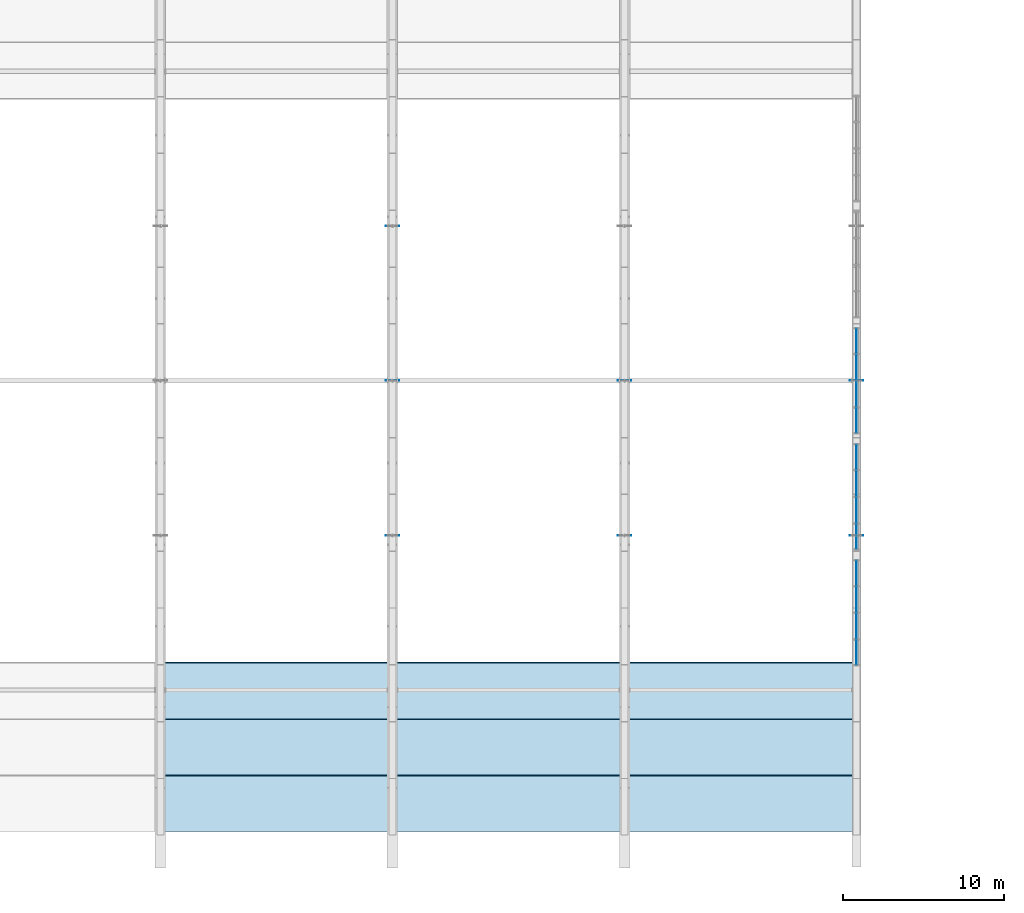
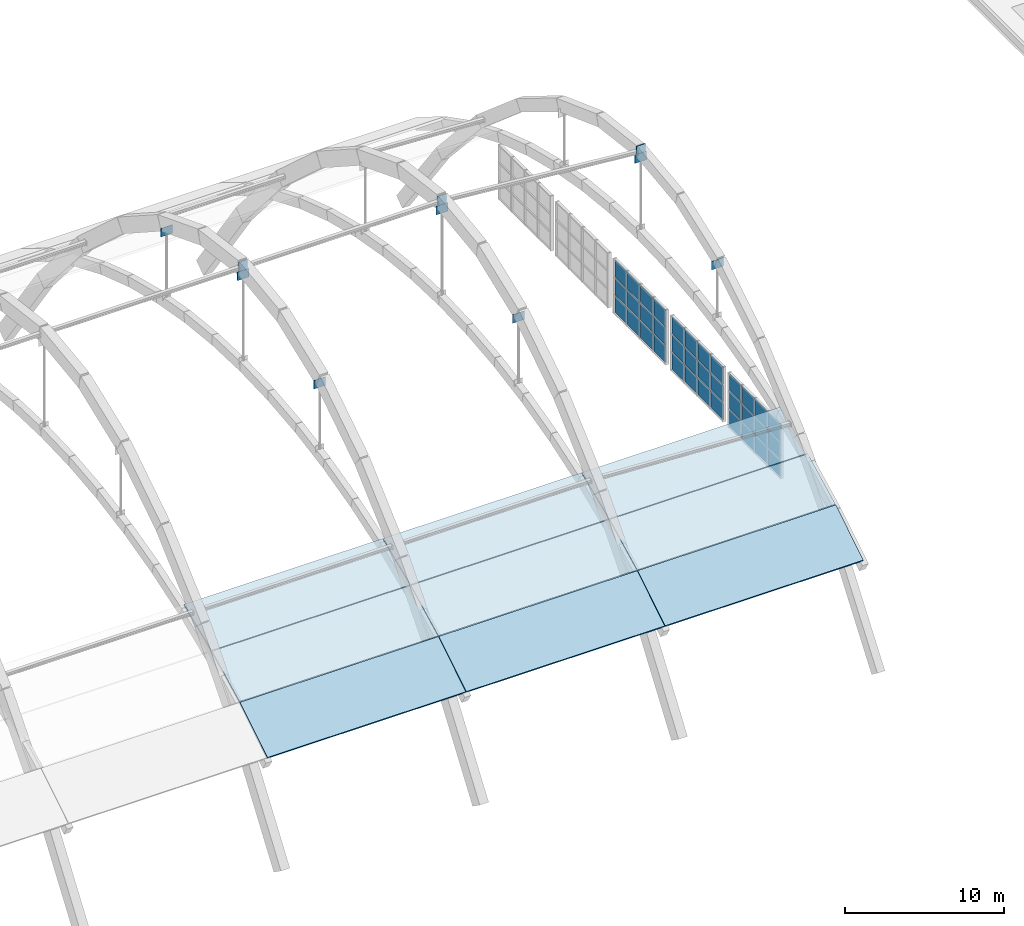
# One storey, part 41 of 64: 46 plates, 9 slabs, 3 elements without a shape of their own.
"""IFC4 building model written with IfcOpenShell, lengths in metres."""

from ifc_helpers import new_model, si_unit, direction, frame, origin, origin_2d, place, context, subcontext, project, spatial, polyline, rectangle, outline, extrude, material, layer, layer_set, type_object, element, aggregate, save


model = new_model("IFC4")

# Units and contexts
model_context = context("Model", 3, precision=1e-05, world=origin(), true_north=direction((0.0, 1.0)))
body_context = subcontext(model_context, "Body", "Model", "MODEL_VIEW")
ifc_project = project(units=[si_unit("LENGTHUNIT", "METRE"), si_unit("AREAUNIT", "SQUARE_METRE"), si_unit("VOLUMEUNIT", "CUBIC_METRE"), si_unit("PLANEANGLEUNIT", "RADIAN"), si_unit("MASSUNIT", "GRAM", prefix="KILO")], contexts=[model_context])

# Site, building, storey
site_placement = place(None, origin())
site = spatial("IfcSite", under=ifc_project, at=site_placement, CompositionType="ELEMENT")
building_placement = place(site_placement, origin())
building = spatial("IfcBuilding", under=site, at=building_placement, Name="Leyfeld Transit Interchange", CompositionType="ELEMENT")
storey_placement = place(building_placement, frame((0.0, 0.0, 9.60009765625)))
storey = spatial("IfcBuildingStorey", under=building, at=storey_placement, Name="L02", CompositionType="ELEMENT", Elevation=9.60009765625)

# Curtain wall, plates
ifc_material_1 = material(Name="Anodised aluminium EN AW-6060 T66", Category="aluminium")
curtain_wall_type = type_object("IfcCurtainWallType", Name="CW-SYS-GAB-7200", PredefinedType="NOTDEFINED", material=ifc_material_1)
curtain_wall_1_placement = place(storey_placement, origin())
curtain_wall_1 = element("IfcCurtainWall", 1, at=curtain_wall_1_placement, inside=storey, type_object=curtain_wall_type, Name="Curtain Wall CW-L02-GABE-01", PredefinedType="NOTDEFINED")
ifc_material_2 = material(Name="Laminated safety acoustic glazing", Category="glass")
ifc_layer_1 = layer(ifc_material_2, 0.048095703125, Name="Laminated safety acoustic glazing")
ifc_layer_set_1 = layer_set([ifc_layer_1], Name="Laminated safety acoustic glazing")
plate_type_1 = type_object("IfcPlateType", Name="CW-PNL-ACU-48", PredefinedType="CURTAIN_PANEL", material=ifc_layer_set_1)
plate_1_placement = place(storey_placement, frame((100.800048828125, 15.54638671875, -0.5166015625), z_axis=(0.0, 0.0, 1.0), x_axis=(0.0, 1.0, 0.0)))
plate_1 = element("IfcPlate", 2, at=plate_1_placement, type_object=plate_type_1, Name="Glazed Curtain Panel CW-L02-GABE-01-P01_1", PredefinedType="CURTAIN_PANEL", context=body_context, shape_type="SweptSolid", body=[
    extrude(rectangle(XDim=1.525390625, YDim=0.048095703125, at=origin_2d()), origin(), (0.0, 0.0, 1.0), 1.289794921875),
])
plate_2_placement = place(storey_placement, frame((100.800048828125, 15.54638671875, 0.855224609375), z_axis=(0.0, 0.0, 1.0), x_axis=(0.0, 1.0, 0.0)))
plate_2 = element("IfcPlate", 3, at=plate_2_placement, type_object=plate_type_1, Name="Glazed Curtain Panel CW-L02-GABE-01-P01_2", PredefinedType="CURTAIN_PANEL", context=body_context, shape_type="SweptSolid", body=[
    extrude(rectangle(XDim=1.525390625, YDim=0.048095703125, at=origin_2d()), origin(), (0.0, 0.0, 1.0), 1.28955078125),
])
plate_3_placement = place(storey_placement, frame((100.800048828125, 15.54638671875, 2.2265625), z_axis=(0.0, 0.0, 1.0), x_axis=(0.0, 1.0, 0.0)))
plate_3 = element("IfcPlate", 4, at=plate_3_placement, type_object=plate_type_1, Name="Glazed Curtain Panel CW-L02-GABE-01-P01_3", PredefinedType="CURTAIN_PANEL", context=body_context, shape_type="SweptSolid", body=[
    extrude(rectangle(XDim=1.525390625, YDim=0.048095703125, at=origin_2d()), origin(), (0.0, 0.0, 1.0), 1.289794921875),
])
plate_4_placement = place(storey_placement, frame((100.800048828125, 17.175048828125, -0.5166015625), z_axis=(0.0, 0.0, 1.0), x_axis=(0.0, 1.0, 0.0)))
plate_4 = element("IfcPlate", 5, at=plate_4_placement, type_object=plate_type_1, Name="Glazed Curtain Panel CW-L02-GABE-01-P02_1", PredefinedType="CURTAIN_PANEL", context=body_context, shape_type="SweptSolid", body=[
    extrude(rectangle(XDim=1.568115234375, YDim=0.048095703125, at=origin_2d()), origin(), (0.0, 0.0, 1.0), 1.289794921875),
])
plate_5_placement = place(storey_placement, frame((100.800048828125, 17.175048828125, 0.855224609375), z_axis=(0.0, 0.0, 1.0), x_axis=(0.0, 1.0, 0.0)))
plate_5 = element("IfcPlate", 6, at=plate_5_placement, type_object=plate_type_1, Name="Glazed Curtain Panel CW-L02-GABE-01-P02_2", PredefinedType="CURTAIN_PANEL", context=body_context, shape_type="SweptSolid", body=[
    extrude(rectangle(XDim=1.568115234375, YDim=0.048095703125, at=origin_2d()), origin(), (0.0, 0.0, 1.0), 1.28955078125),
])
plate_6_placement = place(storey_placement, frame((100.800048828125, 17.175048828125, 2.2265625), z_axis=(0.0, 0.0, 1.0), x_axis=(0.0, 1.0, 0.0)))
plate_6 = element("IfcPlate", 7, at=plate_6_placement, type_object=plate_type_1, Name="Glazed Curtain Panel CW-L02-GABE-01-P02_3", PredefinedType="CURTAIN_PANEL", context=body_context, shape_type="SweptSolid", body=[
    extrude(rectangle(XDim=1.568115234375, YDim=0.048095703125, at=origin_2d()), origin(), (0.0, 0.0, 1.0), 1.289794921875),
])
plate_7_placement = place(storey_placement, frame((100.800048828125, 18.824951171875, -0.5166015625), z_axis=(0.0, 0.0, 1.0), x_axis=(0.0, 1.0, 0.0)))
plate_7 = element("IfcPlate", 8, at=plate_7_placement, type_object=plate_type_1, Name="Glazed Curtain Panel CW-L02-GABE-01-P03_1", PredefinedType="CURTAIN_PANEL", context=body_context, shape_type="SweptSolid", body=[
    extrude(rectangle(XDim=1.568115234375, YDim=0.048095703125, at=origin_2d()), origin(), (0.0, 0.0, 1.0), 1.289794921875),
])
plate_8_placement = place(storey_placement, frame((100.800048828125, 18.824951171875, 0.855224609375), z_axis=(0.0, 0.0, 1.0), x_axis=(0.0, 1.0, 0.0)))
plate_8 = element("IfcPlate", 9, at=plate_8_placement, type_object=plate_type_1, Name="Glazed Curtain Panel CW-L02-GABE-01-P03_2", PredefinedType="CURTAIN_PANEL", context=body_context, shape_type="SweptSolid", body=[
    extrude(rectangle(XDim=1.568115234375, YDim=0.048095703125, at=origin_2d()), origin(), (0.0, 0.0, 1.0), 1.28955078125),
])
plate_9_placement = place(storey_placement, frame((100.800048828125, 18.824951171875, 2.2265625), z_axis=(0.0, 0.0, 1.0), x_axis=(0.0, 1.0, 0.0)))
plate_9 = element("IfcPlate", 10, at=plate_9_placement, type_object=plate_type_1, Name="Glazed Curtain Panel CW-L02-GABE-01-P03_3", PredefinedType="CURTAIN_PANEL", context=body_context, shape_type="SweptSolid", body=[
    extrude(rectangle(XDim=1.568115234375, YDim=0.048095703125, at=origin_2d()), origin(), (0.0, 0.0, 1.0), 1.289794921875),
])
plate_10_placement = place(storey_placement, frame((100.800048828125, 20.45361328125, -0.5166015625), z_axis=(0.0, 0.0, 1.0), x_axis=(0.0, 1.0, 0.0)))
plate_10 = element("IfcPlate", 11, at=plate_10_placement, type_object=plate_type_1, Name="Glazed Curtain Panel CW-L02-GABE-01-P04_1", PredefinedType="CURTAIN_PANEL", context=body_context, shape_type="SweptSolid", body=[
    extrude(rectangle(XDim=1.525390625, YDim=0.048095703125, at=origin_2d()), origin(), (0.0, 0.0, 1.0), 1.289794921875),
])
plate_11_placement = place(storey_placement, frame((100.800048828125, 20.45361328125, 0.855224609375), z_axis=(0.0, 0.0, 1.0), x_axis=(0.0, 1.0, 0.0)))
plate_11 = element("IfcPlate", 12, at=plate_11_placement, type_object=plate_type_1, Name="Glazed Curtain Panel CW-L02-GABE-01-P04_2", PredefinedType="CURTAIN_PANEL", context=body_context, shape_type="SweptSolid", body=[
    extrude(rectangle(XDim=1.525390625, YDim=0.048095703125, at=origin_2d()), origin(), (0.0, 0.0, 1.0), 1.28955078125),
])
plate_12_placement = place(storey_placement, frame((100.800048828125, 20.45361328125, 2.2265625), z_axis=(0.0, 0.0, 1.0), x_axis=(0.0, 1.0, 0.0)))
plate_12 = element("IfcPlate", 13, at=plate_12_placement, type_object=plate_type_1, Name="Glazed Curtain Panel CW-L02-GABE-01-P04_3", PredefinedType="CURTAIN_PANEL", context=body_context, shape_type="SweptSolid", body=[
    extrude(rectangle(XDim=1.525390625, YDim=0.048095703125, at=origin_2d()), origin(), (0.0, 0.0, 1.0), 1.289794921875),
])
aggregate(curtain_wall_1, [plate_1, plate_2, plate_3, plate_4, plate_5, plate_6, plate_7, plate_8, plate_9, plate_10, plate_11, plate_12])

curtain_wall_2_placement = place(storey_placement, origin())
curtain_wall_2 = element("IfcCurtainWall", 14, at=curtain_wall_2_placement, inside=storey, type_object=curtain_wall_type, Name="Curtain Wall CW-L02-GABE-02", PredefinedType="NOTDEFINED")
plate_13_placement = place(storey_placement, frame((100.800048828125, 22.746337890625, -0.5166015625), z_axis=(0.0, 0.0, 1.0), x_axis=(0.0, 1.0, 0.0)))
plate_13 = element("IfcPlate", 15, at=plate_13_placement, type_object=plate_type_1, Name="Glazed Curtain Panel CW-L02-GABE-02-P01_1", PredefinedType="CURTAIN_PANEL", context=body_context, shape_type="SweptSolid", body=[
    extrude(rectangle(XDim=1.525390625, YDim=0.048095703125, at=origin_2d()), origin(), (0.0, 0.0, 1.0), 1.289794921875),
])
plate_14_placement = place(storey_placement, frame((100.800048828125, 22.746337890625, 0.855224609375), z_axis=(0.0, 0.0, 1.0), x_axis=(0.0, 1.0, 0.0)))
plate_14 = element("IfcPlate", 16, at=plate_14_placement, type_object=plate_type_1, Name="Glazed Curtain Panel CW-L02-GABE-02-P01_2", PredefinedType="CURTAIN_PANEL", context=body_context, shape_type="SweptSolid", body=[
    extrude(rectangle(XDim=1.525390625, YDim=0.048095703125, at=origin_2d()), origin(), (0.0, 0.0, 1.0), 1.28955078125),
])
plate_15_placement = place(storey_placement, frame((100.800048828125, 22.746337890625, 2.2265625), z_axis=(0.0, 0.0, 1.0), x_axis=(0.0, 1.0, 0.0)))
plate_15 = element("IfcPlate", 17, at=plate_15_placement, type_object=plate_type_1, Name="Glazed Curtain Panel CW-L02-GABE-02-P01_3", PredefinedType="CURTAIN_PANEL", context=body_context, shape_type="SweptSolid", body=[
    extrude(rectangle(XDim=1.525390625, YDim=0.048095703125, at=origin_2d()), origin(), (0.0, 0.0, 1.0), 1.289794921875),
])
plate_16_placement = place(storey_placement, frame((100.800048828125, 24.375, -0.5166015625), z_axis=(0.0, 0.0, 1.0), x_axis=(0.0, 1.0, 0.0)))
plate_16 = element("IfcPlate", 18, at=plate_16_placement, type_object=plate_type_1, Name="Glazed Curtain Panel CW-L02-GABE-02-P02_1", PredefinedType="CURTAIN_PANEL", context=body_context, shape_type="SweptSolid", body=[
    extrude(rectangle(XDim=1.568115234375, YDim=0.048095703125, at=origin_2d()), origin(), (0.0, 0.0, 1.0), 1.289794921875),
])
plate_17_placement = place(storey_placement, frame((100.800048828125, 24.375, 0.855224609375), z_axis=(0.0, 0.0, 1.0), x_axis=(0.0, 1.0, 0.0)))
plate_17 = element("IfcPlate", 19, at=plate_17_placement, type_object=plate_type_1, Name="Glazed Curtain Panel CW-L02-GABE-02-P02_2", PredefinedType="CURTAIN_PANEL", context=body_context, shape_type="SweptSolid", body=[
    extrude(rectangle(XDim=1.568115234375, YDim=0.048095703125, at=origin_2d()), origin(), (0.0, 0.0, 1.0), 1.28955078125),
])
plate_18_placement = place(storey_placement, frame((100.800048828125, 24.375, 2.2265625), z_axis=(0.0, 0.0, 1.0), x_axis=(0.0, 1.0, 0.0)))
plate_18 = element("IfcPlate", 20, at=plate_18_placement, type_object=plate_type_1, Name="Glazed Curtain Panel CW-L02-GABE-02-P02_3", PredefinedType="CURTAIN_PANEL", context=body_context, shape_type="SweptSolid", body=[
    extrude(rectangle(XDim=1.568115234375, YDim=0.048095703125, at=origin_2d()), origin(), (0.0, 0.0, 1.0), 1.289794921875),
])
plate_19_placement = place(storey_placement, frame((100.800048828125, 26.02490234375, -0.5166015625), z_axis=(0.0, 0.0, 1.0), x_axis=(0.0, 1.0, 0.0)))
plate_19 = element("IfcPlate", 21, at=plate_19_placement, type_object=plate_type_1, Name="Glazed Curtain Panel CW-L02-GABE-02-P03_1", PredefinedType="CURTAIN_PANEL", context=body_context, shape_type="SweptSolid", body=[
    extrude(rectangle(XDim=1.568115234375, YDim=0.048095703125, at=origin_2d()), origin(), (0.0, 0.0, 1.0), 1.289794921875),
])
plate_20_placement = place(storey_placement, frame((100.800048828125, 26.02490234375, 0.855224609375), z_axis=(0.0, 0.0, 1.0), x_axis=(0.0, 1.0, 0.0)))
plate_20 = element("IfcPlate", 22, at=plate_20_placement, type_object=plate_type_1, Name="Glazed Curtain Panel CW-L02-GABE-02-P03_2", PredefinedType="CURTAIN_PANEL", context=body_context, shape_type="SweptSolid", body=[
    extrude(rectangle(XDim=1.568115234375, YDim=0.048095703125, at=origin_2d()), origin(), (0.0, 0.0, 1.0), 1.28955078125),
])
plate_21_placement = place(storey_placement, frame((100.800048828125, 26.02490234375, 2.2265625), z_axis=(0.0, 0.0, 1.0), x_axis=(0.0, 1.0, 0.0)))
plate_21 = element("IfcPlate", 23, at=plate_21_placement, type_object=plate_type_1, Name="Glazed Curtain Panel CW-L02-GABE-02-P03_3", PredefinedType="CURTAIN_PANEL", context=body_context, shape_type="SweptSolid", body=[
    extrude(rectangle(XDim=1.568115234375, YDim=0.048095703125, at=origin_2d()), origin(), (0.0, 0.0, 1.0), 1.289794921875),
])
plate_22_placement = place(storey_placement, frame((100.800048828125, 27.65380859375, -0.5166015625), z_axis=(0.0, 0.0, 1.0), x_axis=(0.0, 1.0, 0.0)))
plate_22 = element("IfcPlate", 24, at=plate_22_placement, type_object=plate_type_1, Name="Glazed Curtain Panel CW-L02-GABE-02-P04_1", PredefinedType="CURTAIN_PANEL", context=body_context, shape_type="SweptSolid", body=[
    extrude(rectangle(XDim=1.525390625, YDim=0.048095703125, at=origin_2d()), origin(), (0.0, 0.0, 1.0), 1.289794921875),
])
plate_23_placement = place(storey_placement, frame((100.800048828125, 27.65380859375, 0.855224609375), z_axis=(0.0, 0.0, 1.0), x_axis=(0.0, 1.0, 0.0)))
plate_23 = element("IfcPlate", 25, at=plate_23_placement, type_object=plate_type_1, Name="Glazed Curtain Panel CW-L02-GABE-02-P04_2", PredefinedType="CURTAIN_PANEL", context=body_context, shape_type="SweptSolid", body=[
    extrude(rectangle(XDim=1.525390625, YDim=0.048095703125, at=origin_2d()), origin(), (0.0, 0.0, 1.0), 1.28955078125),
])
plate_24_placement = place(storey_placement, frame((100.800048828125, 27.65380859375, 2.2265625), z_axis=(0.0, 0.0, 1.0), x_axis=(0.0, 1.0, 0.0)))
plate_24 = element("IfcPlate", 26, at=plate_24_placement, type_object=plate_type_1, Name="Glazed Curtain Panel CW-L02-GABE-02-P04_3", PredefinedType="CURTAIN_PANEL", context=body_context, shape_type="SweptSolid", body=[
    extrude(rectangle(XDim=1.525390625, YDim=0.048095703125, at=origin_2d()), origin(), (0.0, 0.0, 1.0), 1.289794921875),
])
aggregate(curtain_wall_2, [plate_13, plate_14, plate_15, plate_16, plate_17, plate_18, plate_19, plate_20, plate_21, plate_22, plate_23, plate_24])

curtain_wall_3_placement = place(storey_placement, origin())
curtain_wall_3 = element("IfcCurtainWall", 27, at=curtain_wall_3_placement, inside=storey, type_object=curtain_wall_type, Name="Curtain Wall CW-L02-GABE-03", PredefinedType="NOTDEFINED")
plate_25_placement = place(storey_placement, frame((100.800048828125, 29.9462890625, -0.5166015625), z_axis=(0.0, 0.0, 1.0), x_axis=(0.0, 1.0, 0.0)))
plate_25 = element("IfcPlate", 28, at=plate_25_placement, type_object=plate_type_1, Name="Glazed Curtain Panel CW-L02-GABE-03-P01_1", PredefinedType="CURTAIN_PANEL", context=body_context, shape_type="SweptSolid", body=[
    extrude(rectangle(XDim=1.525390625, YDim=0.048095703125, at=origin_2d()), origin(), (0.0, 0.0, 1.0), 1.289794921875),
])
plate_26_placement = place(storey_placement, frame((100.800048828125, 29.9462890625, 0.855224609375), z_axis=(0.0, 0.0, 1.0), x_axis=(0.0, 1.0, 0.0)))
plate_26 = element("IfcPlate", 29, at=plate_26_placement, type_object=plate_type_1, Name="Glazed Curtain Panel CW-L02-GABE-03-P01_2", PredefinedType="CURTAIN_PANEL", context=body_context, shape_type="SweptSolid", body=[
    extrude(rectangle(XDim=1.525390625, YDim=0.048095703125, at=origin_2d()), origin(), (0.0, 0.0, 1.0), 1.28955078125),
])
plate_27_placement = place(storey_placement, frame((100.800048828125, 29.9462890625, 2.2265625), z_axis=(0.0, 0.0, 1.0), x_axis=(0.0, 1.0, 0.0)))
plate_27 = element("IfcPlate", 30, at=plate_27_placement, type_object=plate_type_1, Name="Glazed Curtain Panel CW-L02-GABE-03-P01_3", PredefinedType="CURTAIN_PANEL", context=body_context, shape_type="SweptSolid", body=[
    extrude(rectangle(XDim=1.525390625, YDim=0.048095703125, at=origin_2d()), origin(), (0.0, 0.0, 1.0), 1.289794921875),
])
plate_28_placement = place(storey_placement, frame((100.800048828125, 31.574951171875, -0.5166015625), z_axis=(0.0, 0.0, 1.0), x_axis=(0.0, 1.0, 0.0)))
plate_28 = element("IfcPlate", 31, at=plate_28_placement, type_object=plate_type_1, Name="Glazed Curtain Panel CW-L02-GABE-03-P02_1", PredefinedType="CURTAIN_PANEL", context=body_context, shape_type="SweptSolid", body=[
    extrude(rectangle(XDim=1.568115234375, YDim=0.048095703125, at=origin_2d()), origin(), (0.0, 0.0, 1.0), 1.289794921875),
])
plate_29_placement = place(storey_placement, frame((100.800048828125, 31.574951171875, 0.855224609375), z_axis=(0.0, 0.0, 1.0), x_axis=(0.0, 1.0, 0.0)))
plate_29 = element("IfcPlate", 32, at=plate_29_placement, type_object=plate_type_1, Name="Glazed Curtain Panel CW-L02-GABE-03-P02_2", PredefinedType="CURTAIN_PANEL", context=body_context, shape_type="SweptSolid", body=[
    extrude(rectangle(XDim=1.568115234375, YDim=0.048095703125, at=origin_2d()), origin(), (0.0, 0.0, 1.0), 1.28955078125),
])
plate_30_placement = place(storey_placement, frame((100.800048828125, 31.574951171875, 2.2265625), z_axis=(0.0, 0.0, 1.0), x_axis=(0.0, 1.0, 0.0)))
plate_30 = element("IfcPlate", 33, at=plate_30_placement, type_object=plate_type_1, Name="Glazed Curtain Panel CW-L02-GABE-03-P02_3", PredefinedType="CURTAIN_PANEL", context=body_context, shape_type="SweptSolid", body=[
    extrude(rectangle(XDim=1.568115234375, YDim=0.048095703125, at=origin_2d()), origin(), (0.0, 0.0, 1.0), 1.289794921875),
])
plate_31_placement = place(storey_placement, frame((100.800048828125, 33.22509765625, -0.5166015625), z_axis=(0.0, 0.0, 1.0), x_axis=(0.0, 1.0, 0.0)))
plate_31 = element("IfcPlate", 34, at=plate_31_placement, type_object=plate_type_1, Name="Glazed Curtain Panel CW-L02-GABE-03-P03_1", PredefinedType="CURTAIN_PANEL", context=body_context, shape_type="SweptSolid", body=[
    extrude(rectangle(XDim=1.568115234375, YDim=0.048095703125, at=origin_2d()), origin(), (0.0, 0.0, 1.0), 1.289794921875),
])
plate_32_placement = place(storey_placement, frame((100.800048828125, 33.22509765625, 0.855224609375), z_axis=(0.0, 0.0, 1.0), x_axis=(0.0, 1.0, 0.0)))
plate_32 = element("IfcPlate", 35, at=plate_32_placement, type_object=plate_type_1, Name="Glazed Curtain Panel CW-L02-GABE-03-P03_2", PredefinedType="CURTAIN_PANEL", context=body_context, shape_type="SweptSolid", body=[
    extrude(rectangle(XDim=1.568115234375, YDim=0.048095703125, at=origin_2d()), origin(), (0.0, 0.0, 1.0), 1.28955078125),
])
plate_33_placement = place(storey_placement, frame((100.800048828125, 33.22509765625, 2.2265625), z_axis=(0.0, 0.0, 1.0), x_axis=(0.0, 1.0, 0.0)))
plate_33 = element("IfcPlate", 36, at=plate_33_placement, type_object=plate_type_1, Name="Glazed Curtain Panel CW-L02-GABE-03-P03_3", PredefinedType="CURTAIN_PANEL", context=body_context, shape_type="SweptSolid", body=[
    extrude(rectangle(XDim=1.568115234375, YDim=0.048095703125, at=origin_2d()), origin(), (0.0, 0.0, 1.0), 1.289794921875),
])
plate_34_placement = place(storey_placement, frame((100.800048828125, 34.853759765625, -0.5166015625), z_axis=(0.0, 0.0, 1.0), x_axis=(0.0, 1.0, 0.0)))
plate_34 = element("IfcPlate", 37, at=plate_34_placement, type_object=plate_type_1, Name="Glazed Curtain Panel CW-L02-GABE-03-P04_1", PredefinedType="CURTAIN_PANEL", context=body_context, shape_type="SweptSolid", body=[
    extrude(rectangle(XDim=1.525390625, YDim=0.048095703125, at=origin_2d()), origin(), (0.0, 0.0, 1.0), 1.289794921875),
])
plate_35_placement = place(storey_placement, frame((100.800048828125, 34.853759765625, 0.855224609375), z_axis=(0.0, 0.0, 1.0), x_axis=(0.0, 1.0, 0.0)))
plate_35 = element("IfcPlate", 38, at=plate_35_placement, type_object=plate_type_1, Name="Glazed Curtain Panel CW-L02-GABE-03-P04_2", PredefinedType="CURTAIN_PANEL", context=body_context, shape_type="SweptSolid", body=[
    extrude(rectangle(XDim=1.525390625, YDim=0.048095703125, at=origin_2d()), origin(), (0.0, 0.0, 1.0), 1.28955078125),
])
plate_36_placement = place(storey_placement, frame((100.800048828125, 34.853759765625, 2.2265625), z_axis=(0.0, 0.0, 1.0), x_axis=(0.0, 1.0, 0.0)))
plate_36 = element("IfcPlate", 39, at=plate_36_placement, type_object=plate_type_1, Name="Glazed Curtain Panel CW-L02-GABE-03-P04_3", PredefinedType="CURTAIN_PANEL", context=body_context, shape_type="SweptSolid", body=[
    extrude(rectangle(XDim=1.525390625, YDim=0.048095703125, at=origin_2d()), origin(), (0.0, 0.0, 1.0), 1.289794921875),
])
aggregate(curtain_wall_3, [plate_25, plate_26, plate_27, plate_28, plate_29, plate_30, plate_31, plate_32, plate_33, plate_34, plate_35, plate_36])

# Plates
ifc_material_3 = material(Name="Steel S355J2", Category="steel")
ifc_layer_2 = layer(ifc_material_3, 0.031982421875, Name="Steel S355J2")
ifc_layer_set_2 = layer_set([ifc_layer_2], Name="Steel S355J2")
plate_type_2 = type_object("IfcPlateType", Name="PLT-GUS-32", PredefinedType="SHEET", material=ifc_layer_set_2)
for number, where, z_axis, x_axis, name in (
    (40, (72.0, 22.800048828125, 11.59765625), (0.0, 0.0, 1.0), (1.0, 0.0, 0.0), "Hanger Upper Gusset Plate AR-05 H3"),
    (41, (72.0, 32.39990234375, 14.0703125), (0.0, 0.0, 1.0), (1.0, 0.0, 0.0), "Hanger Upper Gusset Plate AR-05 H4"),
    (42, (72.0, 42.0, 11.59765625), (0.0, 0.0, 1.0), (1.0, 0.0, 0.0), "Hanger Upper Gusset Plate AR-05 H5"),
    (43, (86.39990234375, 22.800048828125, 11.59765625), (0.0, 0.0, 1.0), (1.0, 0.0, 0.0), "Hanger Upper Gusset Plate AR-06 H3"),
    (44, (86.39990234375, 32.39990234375, 14.0703125), (0.0, 0.0, 1.0), (1.0, 0.0, 0.0), "Hanger Upper Gusset Plate AR-06 H4"),
    (45, (100.800048828125, 22.800048828125, 10.634765625), (0.0, 0.0, 1.0), (1.0, 0.0, 0.0), "Hanger Upper Gusset Plate GP-E H3"),
    (46, (100.800048828125, 32.39990234375, 12.971435546875), (0.0, 0.0, 1.0), (1.0, 0.0, 0.0), "Hanger Upper Gusset Plate GP-E H4"),
):
    element("IfcPlate", number, at=place(storey_placement, frame(where, z_axis=z_axis, x_axis=x_axis)), inside=storey, type_object=plate_type_2, Name=name, PredefinedType="SHEET", context=body_context, shape_type="SweptSolid", body=[
        extrude(rectangle(XDim=0.85009765625, YDim=0.031982421875, at=origin_2d()), origin(), (0.0, 0.0, 1.0), 0.64990234375),
    ])
ifc_material_4 = material(Name="Steel S355J2 - Ochre Arch", Category="steel")
ifc_layer_3 = layer(ifc_material_4, 0.02392578125, Name="Steel S355J2 - Ochre Arch")
ifc_layer_set_3 = layer_set([ifc_layer_3], Name="Steel S355J2 - Ochre Arch")
plate_type_3 = type_object("IfcPlateType", Name="PLT-STIF-24", PredefinedType="USERDEFINED", material=ifc_layer_set_3)
plate_37_placement = place(storey_placement, frame((100.800048828125, 32.39990234375, 13.349853515625), z_axis=(0.0, 0.0, 1.0), x_axis=(1.0, 0.0, 0.0)))
element("IfcPlate", 47, at=plate_37_placement, inside=storey, type_object=plate_type_3, Name="Arch Crown Stiffener GP-E", ObjectType="STIFFENER_PLATE", PredefinedType="USERDEFINED", context=body_context, shape_type="SweptSolid", body=[
    extrude(rectangle(XDim=0.64990234375, YDim=0.030029296875, at=origin_2d()), origin(), (0.0, 0.0, 1.0), 0.89990234375),
])
ifc_layer_4 = layer(ifc_material_4, 0.030029296875, Name="Steel S355J2 - Ochre Arch")
ifc_layer_set_4 = layer_set([ifc_layer_4], Name="Steel S355J2 - Ochre Arch")
plate_type_4 = type_object("IfcPlateType", Name="PLT-STIF-30", PredefinedType="USERDEFINED", material=ifc_layer_set_4)
for number, where, z_axis, x_axis, name in (
    (48, (72.0, 32.39990234375, 14.550048828125), (0.0, 0.0, 1.0), (1.0, 0.0, 0.0), "Arch Crown Stiffener AR-05"),
    (49, (86.39990234375, 32.39990234375, 14.550048828125), (0.0, 0.0, 1.0), (1.0, 0.0, 0.0), "Arch Crown Stiffener AR-06"),
):
    element("IfcPlate", number, at=place(storey_placement, frame(where, z_axis=z_axis, x_axis=x_axis)), inside=storey, type_object=plate_type_4, Name=name, ObjectType="STIFFENER_PLATE", PredefinedType="USERDEFINED", context=body_context, shape_type="SweptSolid", body=[
        extrude(rectangle(XDim=0.64990234375, YDim=0.030029296875, at=origin_2d()), origin(), (0.0, 0.0, 1.0), 0.89990234375),
    ])

# Slabs
ifc_material_5 = material(Name="Concrete C40/50", Category="concrete")
ifc_layer_5 = layer(ifc_material_5, 0.159912109375, Name="Concrete C40/50")
ifc_layer_set_5 = layer_set([ifc_layer_5], Name="Concrete C40/50")
slab_type_1 = type_object("IfcSlabType", Name="SLB-VAULT-160", PredefinedType="ROOF", material=ifc_layer_set_5)
slab_1_placement = place(storey_placement, frame((57.610107421875, 7.919921875, 1.572509765625), z_axis=(0.0, -0.455386646839, 0.890293772797), x_axis=(1.0, 0.0, 0.0)))
element("IfcSlab", 50, at=slab_1_placement, inside=storey, type_object=slab_type_1, Name="Concourse Barrel Vault Shell B5 F2", PredefinedType="ROOF", context=body_context, shape_type="SweptSolid", body=[
    extrude(outline(polyline([(0.0, 0.0), (14.3798828125, 0.0), (14.3798828125, 3.8863137575712736), (0.0, 3.8863137575712736), (0.0, 0.0)])), origin(), (0.0, 0.0, -1.0), 0.159912109375),
])
slab_2_placement = place(storey_placement, frame((57.610107421875, 11.419921875, 3.360595703125), z_axis=(0.0, -0.385336514748, 0.922776121495), x_axis=(1.0, 0.0, 0.0)))
element("IfcSlab", 51, at=slab_2_placement, inside=storey, type_object=slab_type_1, Name="Concourse Barrel Vault Shell B5 F3", PredefinedType="ROOF", context=body_context, shape_type="SweptSolid", body=[
    extrude(outline(polyline([(0.0, 0.0), (14.3798828125, 0.0), (14.3798828125, 3.7495128633080363), (0.0, 3.7495128633080363), (0.0, 0.0)])), origin(), (0.0, 0.0, -1.0), 0.159912109375),
])
slab_3_placement = place(storey_placement, frame((72.010009765625, 7.919921875, 1.572509765625), z_axis=(0.0, -0.455386646839, 0.890293772797), x_axis=(1.0, 0.0, 0.0)))
element("IfcSlab", 52, at=slab_3_placement, inside=storey, type_object=slab_type_1, Name="Concourse Barrel Vault Shell B6 F2", PredefinedType="ROOF", context=body_context, shape_type="SweptSolid", body=[
    extrude(outline(polyline([(0.0, 0.0), (14.3798828125, 0.0), (14.3798828125, 3.8863137575712736), (0.0, 3.8863137575712736), (0.0, 0.0)])), origin(), (0.0, 0.0, -1.0), 0.159912109375),
])
slab_4_placement = place(storey_placement, frame((72.010009765625, 11.419921875, 3.360595703125), z_axis=(0.0, -0.385336514748, 0.922776121495), x_axis=(1.0, 0.0, 0.0)))
element("IfcSlab", 53, at=slab_4_placement, inside=storey, type_object=slab_type_1, Name="Concourse Barrel Vault Shell B6 F3", PredefinedType="ROOF", context=body_context, shape_type="SweptSolid", body=[
    extrude(outline(polyline([(0.0, 0.0), (14.3798828125, 0.0), (14.3798828125, 3.7495128633080363), (0.0, 3.7495128633080363), (0.0, 0.0)])), origin(), (0.0, 0.0, -1.0), 0.159912109375),
])
slab_5_placement = place(storey_placement, frame((86.409912109375, 7.919921875, 1.572509765625), z_axis=(0.0, -0.455386646839, 0.890293772797), x_axis=(1.0, 0.0, 0.0)))
element("IfcSlab", 54, at=slab_5_placement, inside=storey, type_object=slab_type_1, Name="Concourse Barrel Vault Shell B7 F2", PredefinedType="ROOF", context=body_context, shape_type="SweptSolid", body=[
    extrude(outline(polyline([(0.0, 0.0), (14.364990234375, 0.0), (14.364990234375, 3.886313757571274), (0.0, 3.886313757571274), (0.0, 0.0)])), origin(), (0.0, 0.0, -1.0), 0.159912109375),
])
slab_6_placement = place(storey_placement, frame((86.409912109375, 11.419921875, 3.360595703125), z_axis=(0.0, -0.385336514748, 0.922776121495), x_axis=(1.0, 0.0, 0.0)))
element("IfcSlab", 55, at=slab_6_placement, inside=storey, type_object=slab_type_1, Name="Concourse Barrel Vault Shell B7 F3", PredefinedType="ROOF", context=body_context, shape_type="SweptSolid", body=[
    extrude(outline(polyline([(0.0, 0.0), (14.364990234375, 0.0), (14.364990234375, 3.7495128633080363), (0.0, 3.7495128633080363), (0.0, 0.0)])), origin(), (0.0, 0.0, -1.0), 0.159912109375),
])
ifc_layer_6 = layer(ifc_material_5, 0.175048828125, Name="Concrete C40/50")
ifc_layer_set_6 = layer_set([ifc_layer_6], Name="Concrete C40/50")
slab_type_2 = type_object("IfcSlabType", Name="SLB-VAULT-175", PredefinedType="ROOF", material=ifc_layer_set_6)
for number, where, z_axis, x_axis, name in (
    (56, (57.610107421875, 4.419921875, -0.586669921875), (0.0, -0.525436640298, 0.850832731524), (1.0, 0.0, 0.0), "Concourse Barrel Vault Shell B5 F1"),
    (57, (72.010009765625, 4.419921875, -0.586669921875), (0.0, -0.525436640298, 0.850832731524), (1.0, 0.0, 0.0), "Concourse Barrel Vault Shell B6 F1"),
):
    element("IfcSlab", number, at=place(storey_placement, frame(where, z_axis=z_axis, x_axis=x_axis)), inside=storey, type_object=slab_type_2, Name=name, PredefinedType="ROOF", context=body_context, shape_type="SweptSolid", body=[
        extrude(outline(polyline([(0.0, 0.0), (14.3798828125, 0.0), (14.3798828125, 4.066558336680718), (0.0, 4.066558336680718), (0.0, 0.0)])), origin(), (0.0, 0.0, -1.0), 0.175048828125),
    ])
slab_7_placement = place(storey_placement, frame((86.409912109375, 4.419921875, -0.586669921875), z_axis=(0.0, -0.525436640298, 0.850832731524), x_axis=(1.0, 0.0, 0.0)))
element("IfcSlab", 58, at=slab_7_placement, inside=storey, type_object=slab_type_2, Name="Concourse Barrel Vault Shell B7 F1", PredefinedType="ROOF", context=body_context, shape_type="SweptSolid", body=[
    extrude(outline(polyline([(0.0, 0.0), (14.364990234375, 0.0), (14.364990234375, 4.066558336680718), (0.0, 4.066558336680718), (0.0, 0.0)])), origin(), (0.0, 0.0, -1.0), 0.175048828125),
])

save(model, "model.ifc")
